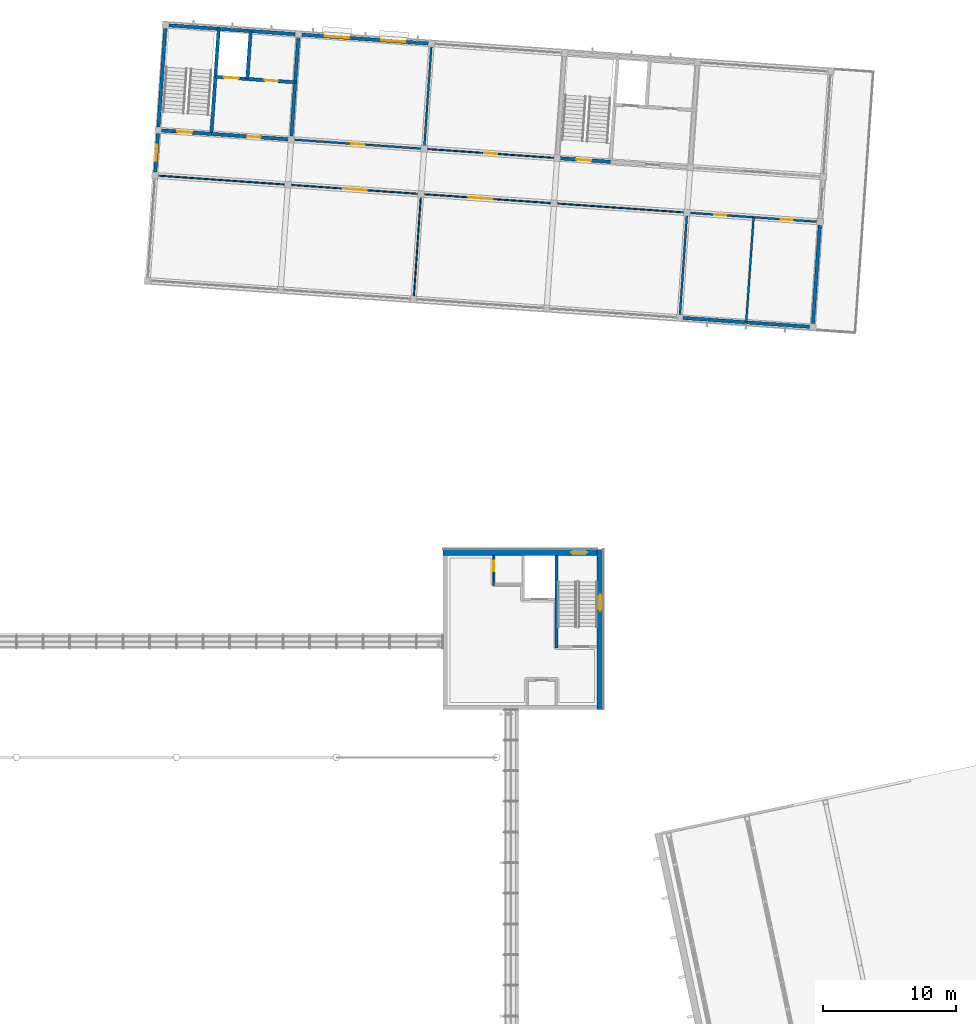
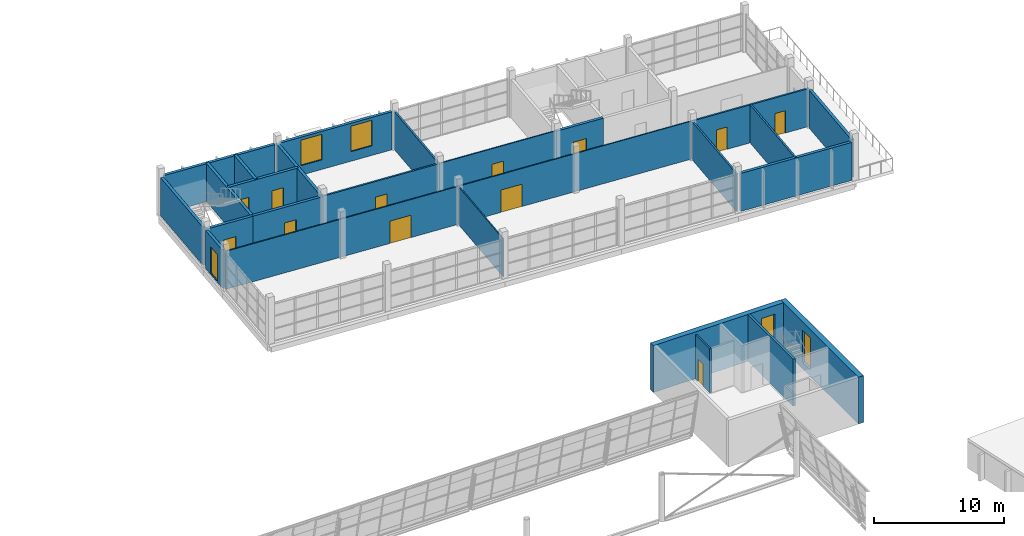
# One storey, part 34 of 50: 25 walls, 12 doors, 5 windows, 17 openings.
"""IFC4 building model written with IfcOpenShell, lengths in metres."""

from ifc_helpers import new_model, si_unit, direction, frame, frame_2d, origin, place, context, subcontext, project, spatial, rectangle, extrude, material, layer, layer_set, type_object, element, fill, save


model = new_model("IFC4")

# Units and contexts
model_context = context("Model", 3, precision=1e-05, world=origin(), true_north=direction((0.0, 1.0)))
body_context = subcontext(model_context, "Body", "Model", "MODEL_VIEW")
ifc_project = project(units=[si_unit("LENGTHUNIT", "METRE"), si_unit("AREAUNIT", "SQUARE_METRE"), si_unit("VOLUMEUNIT", "CUBIC_METRE"), si_unit("PLANEANGLEUNIT", "RADIAN"), si_unit("MASSUNIT", "GRAM", prefix="KILO")], contexts=[model_context])

# Site, building, storey
site_placement = place(None, origin())
site = spatial("IfcSite", under=ifc_project, at=site_placement, CompositionType="ELEMENT")
building_placement = place(site_placement, origin())
building = spatial("IfcBuilding", under=site, at=building_placement, Name="Windward Yard Aquatics Centre", CompositionType="ELEMENT")
storey_placement = place(building_placement, frame((0.0, 0.0, 18.199951171875)))
storey = spatial("IfcBuildingStorey", under=building, at=storey_placement, Name="L04", CompositionType="ELEMENT", Elevation=18.199951171875)

# Wall
ifc_material_1 = material(Name="Concrete C35/45", Category="concrete")
ifc_layer_1 = layer(ifc_material_1, 0.199951171875)
ifc_layer_set_1 = layer_set([ifc_layer_1], Name="H Enclosure Wall Concrete C35/45 200")
wall_type_1 = type_object("IfcWallType", Name="H Enclosure Wall Concrete C35/45 200", PredefinedType="SOLIDWALL", material=ifc_layer_set_1)
wall_1_placement = place(storey_placement, frame((148.5, 95.550048828125, 0.0), z_axis=(0.0, 0.0, 1.0), x_axis=(0.0, -1.0, 0.0)))
element("IfcWall", 1, at=wall_1_placement, inside=storey, type_object=wall_type_1, Name="L04 W1 enclosure wall NE", PredefinedType="SOLIDWALL", context=body_context, shape_type="SweptSolid", body=[
    extrude(rectangle(XDim=6.949951171875, YDim=0.199951171875, at=frame_2d((3.47509765625, 0.0))), origin(), (0.0, 0.0, 1.0), 4.400146484375),
])

# Wall, opening, door
ifc_material_2 = material(Name="Blockwork 150 mm", Category="masonry")
ifc_layer_2 = layer(ifc_material_2, 0.14990234375)
ifc_layer_set_2 = layer_set([ifc_layer_2], Name="H Partition Blockwork 150")
wall_type_2 = type_object("IfcWallType", Name="H Partition Blockwork 150", PredefinedType="PARTITIONING", material=ifc_layer_set_2)
wall_2_placement = place(storey_placement, frame((143.800048828125, 95.550048828125, 0.0), z_axis=(0.0, 0.0, 1.0), x_axis=(0.0, -1.0, 0.0)))
wall_2 = element("IfcWall", 2, at=wall_2_placement, inside=storey, type_object=wall_type_2, Name="L04 R1E riser wall NE", PredefinedType="PARTITIONING", context=body_context, shape_type="SweptSolid", body=[
    extrude(rectangle(XDim=2.22509765625, YDim=0.14990234375, at=frame_2d((1.112548828125, 0.0))), origin(), (0.0, 0.0, 1.0), 4.150146484375),
])
opening_1_placement = place(wall_2_placement, frame((0.39990234375, 0.0, 0.0)))
opening_1 = element("IfcOpeningElement", 3, at=opening_1_placement, cuts=wall_2, Name="Opening H4011", PredefinedType="OPENING", context=body_context, shape_type="SweptSolid", body=[
    extrude(rectangle(XDim=0.800048828125, YDim=2.10009765625, at=frame_2d((0.39990234375, 1.050048828125))), frame((0.0, 0.0849609375, 0.0), z_axis=(0.0, -1.0, 0.0), x_axis=(1.0, 0.0, 0.0)), (0.0, 0.0, 1.0), 0.169921875),
])
ifc_material_3 = material(Name="Steel and timber door leaf", Category="steel")
door_type_1 = type_object("IfcDoorType", Name="H Door Riser 800 x 2100 FD60", OperationType="NOTDEFINED", PredefinedType="DOOR", material=ifc_material_3)
door_1_placement = place(opening_1_placement, origin())
door_1 = element("IfcDoor", 4, at=door_1_placement, inside=storey, type_object=door_type_1, Name="L04 electrical riser NE door", OperationType="SINGLE_SWING_RIGHT", OverallHeight=2.10009765625, OverallWidth=0.800048828125, PredefinedType="DOOR", context=body_context, shape_type="SweptSolid", body=[
    extrude(rectangle(XDim=0.800048828125, YDim=2.10009765625, at=frame_2d((0.39990234375, 1.050048828125))), frame((0.0, 0.02490234375, 0.0), z_axis=(0.0, -1.0, 0.0), x_axis=(1.0, 0.0, 0.0)), (0.0, 0.0, 1.0), 0.050048828125),
])
fill(opening_1, door_1)

# Wall, opening, window
ifc_material_4 = material(Name="Natural stone cladding", Category="masonry")
ifc_layer_3 = layer(ifc_material_4, 0.04, Name="Cladding")
ifc_material_5 = material(Name="Ventilated air cavity")
ifc_layer_4 = layer(ifc_material_5, 0.05, ventilated=True, Name="Ventilated cavity")
ifc_material_6 = material(Name="Mineral wool insulation")
ifc_layer_5 = layer(ifc_material_6, 0.08, Name="Insulation")
ifc_layer_6 = layer(ifc_material_1, 0.28, Name="Structure")
ifc_layer_set_3 = layer_set([ifc_layer_3, ifc_layer_4, ifc_layer_5, ifc_layer_6], Name="H plinth wall stone faced 450 C35/45")
wall_type_3 = type_object("IfcWallType", Name="H plinth wall stone faced 450 C35/45", PredefinedType="ELEMENTEDWALL", material=ifc_layer_set_3)
wall_3_placement = place(storey_placement, frame((151.77490234375, 96.0, 0.0), z_axis=(0.0, 0.0, 1.0), x_axis=(0.0, -1.0, 0.0)))
wall_3 = element("IfcWall", 5, at=wall_3_placement, inside=storey, type_object=wall_type_3, Name="H.CW.NE.E.L04", PredefinedType="ELEMENTEDWALL", context=body_context, shape_type="SweptSolid", body=[
    extrude(rectangle(XDim=12.0, YDim=0.449951171875, at=frame_2d((6.0, 0.0))), origin(), (0.0, 0.0, 1.0), 4.400146484375),
])
opening_2_placement = place(wall_3_placement, frame((3.39990234375, 0.0, 0.60009765625)))
opening_2 = element("IfcOpeningElement", 6, at=opening_2_placement, cuts=wall_3, Name="Opening W4007", PredefinedType="OPENING", context=body_context, shape_type="SweptSolid", body=[
    extrude(rectangle(XDim=1.199951171875, YDim=3.0, at=frame_2d((0.60009765625, 1.5))), frame((0.0, 0.23486328125, 0.0), z_axis=(0.0, -1.0, 0.0), x_axis=(1.0, 0.0, 0.0)), (0.0, 0.0, 1.0), 0.469970703125),
])
ifc_material_7 = material(Name="Fire-resisting glazing in steel frame", Category="steel")
window_type_1 = type_object("IfcWindowType", Name="H Core Stair Window 1200 x 3000 EI 60", PartitioningType="SINGLE_PANEL", PredefinedType="WINDOW", material=ifc_material_7)
window_1_placement = place(opening_2_placement, origin())
window_1 = element("IfcWindow", 7, at=window_1_placement, inside=storey, type_object=window_type_1, Name="L04 core NE stair window", OverallHeight=3.0, OverallWidth=1.199951171875, PartitioningType="SINGLE_PANEL", PredefinedType="WINDOW", context=body_context, shape_type="SweptSolid", body=[
    extrude(rectangle(XDim=1.199951171875, YDim=3.0, at=frame_2d((0.60009765625, 1.5))), frame((0.0, 0.030029296875, 0.0), z_axis=(0.0, -1.0, 0.0), x_axis=(1.0, 0.0, 0.0)), (0.0, 0.0, 1.0), 0.06005859375),
])
fill(opening_2, window_1)

wall_4_placement = place(storey_placement, frame((151.550048828125, 95.77490234375, 0.0), z_axis=(0.0, 0.0, 1.0), x_axis=(-1.0, 0.0, 0.0)))
wall_4 = element("IfcWall", 8, at=wall_4_placement, inside=storey, type_object=wall_type_3, Name="H.CW.NE.N.L04", PredefinedType="ELEMENTEDWALL", context=body_context, shape_type="SweptSolid", body=[
    extrude(rectangle(XDim=11.550048828125, YDim=0.449951171875, at=frame_2d((5.77490234375, 0.0))), origin(), (0.0, 0.0, 1.0), 4.400146484375),
])
opening_3_placement = place(wall_4_placement, frame((0.75, 0.0, 0.60009765625)))
opening_3 = element("IfcOpeningElement", 9, at=opening_3_placement, cuts=wall_4, Name="Opening W4008", PredefinedType="OPENING", context=body_context, shape_type="SweptSolid", body=[
    extrude(rectangle(XDim=1.199951171875, YDim=3.0, at=frame_2d((0.60009765625, 1.5))), frame((0.0, 0.23486328125, 0.0), z_axis=(0.0, -1.0, 0.0), x_axis=(1.0, 0.0, 0.0)), (0.0, 0.0, 1.0), 0.469970703125),
])
window_2_placement = place(opening_3_placement, origin())
window_2 = element("IfcWindow", 10, at=window_2_placement, inside=storey, type_object=window_type_1, Name="L04 core NE stair window", OverallHeight=3.0, OverallWidth=1.199951171875, PartitioningType="SINGLE_PANEL", PredefinedType="WINDOW", context=body_context, shape_type="SweptSolid", body=[
    extrude(rectangle(XDim=1.199951171875, YDim=3.0, at=frame_2d((0.60009765625, 1.5))), frame((0.0, 0.030029296875, 0.0), z_axis=(0.0, -1.0, 0.0), x_axis=(1.0, 0.0, 0.0)), (0.0, 0.0, 1.0), 0.06005859375),
])
fill(opening_3, window_2)

# Walls
ifc_material_8 = material(Name="Concrete C40/50", Category="concrete")
ifc_layer_7 = layer(ifc_material_8, 0.25)
ifc_layer_set_4 = layer_set([ifc_layer_7], Name="W RC core wall 250 Concrete C40/50")
wall_type_4 = type_object("IfcWallType", Name="W RC core wall 250 Concrete C40/50", PredefinedType="SOLIDWALL", material=ifc_layer_set_4)
wall_5_placement = place(storey_placement, frame((119.427490234375, 135.30322265625, 0.0), z_axis=(0.0, 0.0, 1.0), x_axis=(0.997564674448, -0.06974754686, 0.0)))
element("IfcWall", 11, at=wall_5_placement, inside=storey, type_object=wall_type_4, Name="W.FW.L04.N.46.8", PredefinedType="SOLIDWALL", context=body_context, shape_type="SweptSolid", body=[
    extrude(rectangle(XDim=9.5, YDim=0.25, at=frame_2d((4.75, 0.0))), origin(), (0.0, 0.0, 1.0), 3.570068359375),
])
wall_6_placement = place(storey_placement, frame((118.64453125, 127.689453125, 0.0), z_axis=(0.0, 0.0, 1.0), x_axis=(0.069746391472, 0.99756475523, 0.0)))
element("IfcWall", 12, at=wall_6_placement, inside=storey, type_object=wall_type_4, Name="W.FW.L04.W.11.9", PredefinedType="SOLIDWALL", context=body_context, shape_type="SweptSolid", body=[
    extrude(rectangle(XDim=7.39990234375, YDim=0.25, at=frame_2d((3.699951171875, 0.0))), origin(), (0.0, 0.0, 1.0), 3.570068359375),
])
wall_7_placement = place(storey_placement, frame((122.617431640625, 127.160888671875, 0.0), z_axis=(0.0, 0.0, 1.0), x_axis=(0.0697491702, 0.997564560947, 0.0)))
element("IfcWall", 13, at=wall_7_placement, inside=storey, type_object=wall_type_4, Name="W.WL.L04.001", PredefinedType="SOLIDWALL", context=body_context, shape_type="SweptSolid", body=[
    extrude(rectangle(XDim=7.900146484375, YDim=0.25, at=frame_2d((3.9501953125, 0.0))), origin(), (0.0, 0.0, 1.0), 3.570068359375),
])
wall_8_placement = place(storey_placement, frame((125.3115234375, 131.283203125, 0.0), z_axis=(0.0, 0.0, 1.0), x_axis=(0.069719119461, 0.997566661623, 0.0)))
element("IfcWall", 14, at=wall_8_placement, inside=storey, type_object=wall_type_4, Name="W.WL.L04.002", PredefinedType="SOLIDWALL", context=body_context, shape_type="SweptSolid", body=[
    extrude(rectangle(XDim=3.599853515625, YDim=0.25, at=frame_2d((1.7998046875, 0.0))), origin(), (0.0, 0.0, 1.0), 3.570068359375),
])
wall_9_placement = place(storey_placement, frame((128.602783203125, 126.742431640625, 0.0), z_axis=(0.0, 0.0, 1.0), x_axis=(0.0697491702, 0.997564560947, 0.0)))
element("IfcWall", 15, at=wall_9_placement, inside=storey, type_object=wall_type_4, Name="W.WL.L04.003", PredefinedType="SOLIDWALL", context=body_context, shape_type="SweptSolid", body=[
    extrude(rectangle(XDim=7.900146484375, YDim=0.25, at=frame_2d((3.9501953125, 0.0))), origin(), (0.0, 0.0, 1.0), 3.570068359375),
])

# Wall, opening, door
wall_10_placement = place(storey_placement, frame((118.627197265625, 127.43994140625, 0.0), z_axis=(0.0, 0.0, 1.0), x_axis=(0.997563556766, -0.069763530677, 0.0)))
wall_10 = element("IfcWall", 16, at=wall_10_placement, inside=storey, type_object=wall_type_4, Name="W.WL.L04.014", PredefinedType="SOLIDWALL", context=body_context, shape_type="SweptSolid", body=[
    extrude(rectangle(XDim=4.0, YDim=0.25, at=frame_2d((2.0, 0.0))), origin(), (0.0, 0.0, 1.0), 3.570068359375),
])
opening_4_placement = place(wall_10_placement, frame((1.449951171875, 0.0, 0.0)))
opening_4 = element("IfcOpeningElement", 17, at=opening_4_placement, cuts=wall_10, Name="Opening W4009", PredefinedType="OPENING", context=body_context, shape_type="SweptSolid", body=[
    extrude(rectangle(XDim=1.10009765625, YDim=2.10009765625, at=frame_2d((0.550048828125, 1.050048828125))), frame((0.0, 0.135009765625, 0.0), z_axis=(0.0, -1.0, 0.0), x_axis=(1.0, 0.0, 0.0)), (0.0, 0.0, 1.0), 0.27001953125),
])
ifc_material_9 = material(Name="Steel fire door leaf", Category="steel")
door_type_2 = type_object("IfcDoorType", Name="W stair door FD60 1100x2100", OperationType="SINGLE_SWING_LEFT", PredefinedType="DOOR", material=ifc_material_9)
door_2_placement = place(opening_4_placement, origin())
door_2 = element("IfcDoor", 18, at=door_2_placement, inside=storey, type_object=door_type_2, Name="W.DRI.L04.008", OperationType="SINGLE_SWING_RIGHT", OverallHeight=2.10009765625, OverallWidth=1.10009765625, PredefinedType="DOOR", context=body_context, shape_type="SweptSolid", body=[
    extrude(rectangle(XDim=1.10009765625, YDim=2.10009765625, at=frame_2d((0.550048828125, 1.050048828125))), frame((0.0, 0.02490234375, 0.0), z_axis=(0.0, -1.0, 0.0), x_axis=(1.0, 0.0, 0.0)), (0.0, 0.0, 1.0), 0.050048828125),
])
fill(opening_4, door_2)

wall_11_placement = place(storey_placement, frame((122.617431640625, 127.160888671875, 0.0), z_axis=(0.0, 0.0, 1.0), x_axis=(0.997564972454, -0.069743284499, 0.0)))
wall_11 = element("IfcWall", 19, at=wall_11_placement, inside=storey, type_object=wall_type_4, Name="W.WL.L04.015", PredefinedType="SOLIDWALL", context=body_context, shape_type="SweptSolid", body=[
    extrude(rectangle(XDim=6.0, YDim=0.25, at=frame_2d((3.0, 0.0))), origin(), (0.0, 0.0, 1.0), 3.570068359375),
])
opening_5_placement = place(wall_11_placement, frame((2.699951171875, 0.0, 0.0)))
opening_5 = element("IfcOpeningElement", 20, at=opening_5_placement, cuts=wall_11, Name="Opening W4010", PredefinedType="OPENING", context=body_context, shape_type="SweptSolid", body=[
    extrude(rectangle(XDim=1.0, YDim=2.10009765625, at=frame_2d((0.5, 1.050048828125))), frame((0.0, 0.135009765625, 0.0), z_axis=(0.0, -1.0, 0.0), x_axis=(1.0, 0.0, 0.0)), (0.0, 0.0, 1.0), 0.27001953125),
])
door_type_3 = type_object("IfcDoorType", Name="W fire door FD60 1000x2100", OperationType="SINGLE_SWING_LEFT", PredefinedType="DOOR", material=ifc_material_9)
door_3_placement = place(opening_5_placement, origin())
door_3 = element("IfcDoor", 21, at=door_3_placement, inside=storey, type_object=door_type_3, Name="W.DRI.L04.009", OperationType="SINGLE_SWING_LEFT", OverallHeight=2.10009765625, OverallWidth=1.0, PredefinedType="DOOR", context=body_context, shape_type="SweptSolid", body=[
    extrude(rectangle(XDim=1.0, YDim=2.10009765625, at=frame_2d((0.5, 1.050048828125))), frame((0.0, 0.02490234375, 0.0), z_axis=(0.0, -1.0, 0.0), x_axis=(1.0, 0.0, 0.0)), (0.0, 0.0, 1.0), 0.050048828125),
])
fill(opening_5, door_3)

wall_12_placement = place(storey_placement, frame((148.553955078125, 125.347412109375, 0.0), z_axis=(0.0, 0.0, 1.0), x_axis=(0.997563556766, -0.069763530677, 0.0)))
wall_12 = element("IfcWall", 22, at=wall_12_placement, inside=storey, type_object=wall_type_4, Name="W.WL.L04.018", PredefinedType="SOLIDWALL", context=body_context, shape_type="SweptSolid", body=[
    extrude(rectangle(XDim=4.0, YDim=0.25, at=frame_2d((2.0, 0.0))), origin(), (0.0, 0.0, 1.0), 3.570068359375),
])
opening_6_placement = place(wall_12_placement, frame((1.449951171875, 0.0, 0.0)))
opening_6 = element("IfcOpeningElement", 23, at=opening_6_placement, cuts=wall_12, Name="Opening W4013", PredefinedType="OPENING", context=body_context, shape_type="SweptSolid", body=[
    extrude(rectangle(XDim=1.10009765625, YDim=2.10009765625, at=frame_2d((0.550048828125, 1.050048828125))), frame((0.0, 0.135009765625, 0.0), z_axis=(0.0, -1.0, 0.0), x_axis=(1.0, 0.0, 0.0)), (0.0, 0.0, 1.0), 0.27001953125),
])
door_4_placement = place(opening_6_placement, origin())
door_4 = element("IfcDoor", 24, at=door_4_placement, inside=storey, type_object=door_type_2, Name="W.DRI.L04.012", OperationType="SINGLE_SWING_RIGHT", OverallHeight=2.10009765625, OverallWidth=1.10009765625, PredefinedType="DOOR", context=body_context, shape_type="SweptSolid", body=[
    extrude(rectangle(XDim=1.10009765625, YDim=2.10009765625, at=frame_2d((0.550048828125, 1.050048828125))), frame((0.0, 0.02490234375, 0.0), z_axis=(0.0, -1.0, 0.0), x_axis=(1.0, 0.0, 0.0)), (0.0, 0.0, 1.0), 0.050048828125),
])
fill(opening_6, door_4)

# Wall, openings, doors
wall_13_placement = place(storey_placement, frame((122.917236328125, 131.450439453125, 0.0), z_axis=(0.0, 0.0, 1.0), x_axis=(0.997564972454, -0.069743284499, 0.0)))
wall_13 = element("IfcWall", 25, at=wall_13_placement, inside=storey, type_object=wall_type_4, Name="W.WL.L04.021", PredefinedType="SOLIDWALL", context=body_context, shape_type="SweptSolid", body=[
    extrude(rectangle(XDim=6.0, YDim=0.25, at=frame_2d((3.0, 0.0))), origin(), (0.0, 0.0, 1.0), 3.570068359375),
])
opening_7_placement = place(wall_13_placement, frame((3.699951171875, 0.0, 0.0)))
opening_7 = element("IfcOpeningElement", 26, at=opening_7_placement, cuts=wall_13, Name="Opening W4011", PredefinedType="OPENING", context=body_context, shape_type="SweptSolid", body=[
    extrude(rectangle(XDim=1.0, YDim=2.10009765625, at=frame_2d((0.5, 1.050048828125))), frame((0.0, 0.135009765625, 0.0), z_axis=(0.0, -1.0, 0.0), x_axis=(1.0, 0.0, 0.0)), (0.0, 0.0, 1.0), 0.27001953125),
])
opening_8_placement = place(wall_13_placement, frame((0.64990234375, 0.0, 0.0)))
opening_8 = element("IfcOpeningElement", 27, at=opening_8_placement, cuts=wall_13, Name="Opening W4012", PredefinedType="OPENING", context=body_context, shape_type="SweptSolid", body=[
    extrude(rectangle(XDim=1.10009765625, YDim=2.10009765625, at=frame_2d((0.550048828125, 1.050048828125))), frame((0.0, 0.135009765625, 0.0), z_axis=(0.0, -1.0, 0.0), x_axis=(1.0, 0.0, 0.0)), (0.0, 0.0, 1.0), 0.27001953125),
])
door_5_placement = place(opening_7_placement, origin())
door_5 = element("IfcDoor", 28, at=door_5_placement, inside=storey, type_object=door_type_3, Name="W.DRI.L04.010", OperationType="SINGLE_SWING_RIGHT", OverallHeight=2.10009765625, OverallWidth=1.0, PredefinedType="DOOR", context=body_context, shape_type="SweptSolid", body=[
    extrude(rectangle(XDim=1.0, YDim=2.10009765625, at=frame_2d((0.5, 1.050048828125))), frame((0.0, 0.02490234375, 0.0), z_axis=(0.0, -1.0, 0.0), x_axis=(1.0, 0.0, 0.0)), (0.0, 0.0, 1.0), 0.050048828125),
])
fill(opening_7, door_5)
ifc_material_10 = material(Name="Stainless steel sliding door leaf", Category="steel")
door_type_4 = type_object("IfcDoorType", Name="W lift landing door 1100x2100", OperationType="SLIDING_TO_LEFT", PredefinedType="DOOR", material=ifc_material_10)
door_6_placement = place(opening_8_placement, origin())
door_6 = element("IfcDoor", 29, at=door_6_placement, inside=storey, type_object=door_type_4, Name="Landing door W L04", OperationType="SLIDING_TO_LEFT", OverallHeight=2.10009765625, OverallWidth=1.10009765625, PredefinedType="DOOR", context=body_context, shape_type="SweptSolid", body=[
    extrude(rectangle(XDim=1.10009765625, YDim=2.10009765625, at=frame_2d((0.550048828125, 1.050048828125))), frame((0.0, 0.02490234375, 0.0), z_axis=(0.0, -1.0, 0.0), x_axis=(1.0, 0.0, 0.0)), (0.0, 0.0, 1.0), 0.050048828125),
])
fill(opening_8, door_6)

# Wall
ifc_layer_8 = layer(ifc_material_8, 0.25)
ifc_layer_set_5 = layer_set([ifc_layer_8], Name="W facade wall 250 Precast Concrete C40/50")
wall_type_5 = type_object("IfcWallType", Name="W facade wall 250 Precast Concrete C40/50", PredefinedType="SOLIDWALL", material=ifc_layer_set_5)
wall_14_placement = place(storey_placement, frame((157.99072265625, 113.35986328125, 0.0), z_axis=(0.0, 0.0, 1.0), x_axis=(0.997563011141, -0.069771332249, 0.0)))
element("IfcWall", 30, at=wall_14_placement, inside=storey, type_object=wall_type_5, Name="W.FW.L04.S.86.8", PredefinedType="SOLIDWALL", context=body_context, shape_type="SweptSolid", body=[
    extrude(rectangle(XDim=9.500244140625, YDim=0.25, at=frame_2d((4.75, 0.0))), origin(), (0.0, 0.0, 1.0), 3.570068359375),
])

# Wall, openings, windows
wall_15_placement = place(storey_placement, frame((129.4033203125, 134.605712890625, 0.0), z_axis=(0.0, 0.0, 1.0), x_axis=(0.997564674448, -0.06974754686, 0.0)))
wall_15 = element("IfcWall", 31, at=wall_15_placement, inside=storey, type_object=wall_type_5, Name="W.FW.L04.N.56.8", PredefinedType="SOLIDWALL", context=body_context, shape_type="SweptSolid", body=[
    extrude(rectangle(XDim=9.5, YDim=0.25, at=frame_2d((4.75, 0.0))), origin(), (0.0, 0.0, 1.0), 3.570068359375),
])
opening_9_placement = place(wall_15_placement, frame((1.72509765625, 0.0, 0.89990234375)))
opening_9 = element("IfcOpeningElement", 32, at=opening_9_placement, cuts=wall_15, Name="Opening W4501", PredefinedType="OPENING", context=body_context, shape_type="SweptSolid", body=[
    extrude(rectangle(XDim=1.800048828125, YDim=2.39990234375, at=frame_2d((0.89990234375, 1.199951171875))), frame((0.0, 0.135009765625, 0.0), z_axis=(0.0, -1.0, 0.0), x_axis=(1.0, 0.0, 0.0)), (0.0, 0.0, 1.0), 0.27001953125),
])
opening_10_placement = place(wall_15_placement, frame((5.97509765625, 0.0, 0.89990234375)))
opening_10 = element("IfcOpeningElement", 33, at=opening_10_placement, cuts=wall_15, Name="Opening W4502", PredefinedType="OPENING", context=body_context, shape_type="SweptSolid", body=[
    extrude(rectangle(XDim=1.800048828125, YDim=2.39990234375, at=frame_2d((0.89990234375, 1.199951171875))), frame((0.0, 0.135009765625, 0.0), z_axis=(0.0, -1.0, 0.0), x_axis=(1.0, 0.0, 0.0)), (0.0, 0.0, 1.0), 0.27001953125),
])
ifc_material_11 = material(Name="Aluminium framed glazing", Category="aluminium")
window_type_2 = type_object("IfcWindowType", Name="W window 1800x2400", PartitioningType="SINGLE_PANEL", PredefinedType="WINDOW", material=ifc_material_11)
window_3_placement = place(opening_9_placement, origin())
window_3 = element("IfcWindow", 34, at=window_3_placement, inside=storey, type_object=window_type_2, Name="W.WN.L04.W4501", OverallHeight=2.39990234375, OverallWidth=1.800048828125, PartitioningType="SINGLE_PANEL", PredefinedType="WINDOW", context=body_context, shape_type="SweptSolid", body=[
    extrude(rectangle(XDim=1.800048828125, YDim=2.39990234375, at=frame_2d((0.89990234375, 1.199951171875))), frame((0.0, 0.030029296875, 0.0), z_axis=(0.0, -1.0, 0.0), x_axis=(1.0, 0.0, 0.0)), (0.0, 0.0, 1.0), 0.06005859375),
])
fill(opening_9, window_3)
window_4_placement = place(opening_10_placement, origin())
window_4 = element("IfcWindow", 35, at=window_4_placement, inside=storey, type_object=window_type_2, Name="W.WN.L04.W4502", OverallHeight=2.39990234375, OverallWidth=1.800048828125, PartitioningType="SINGLE_PANEL", PredefinedType="WINDOW", context=body_context, shape_type="SweptSolid", body=[
    extrude(rectangle(XDim=1.800048828125, YDim=2.39990234375, at=frame_2d((0.89990234375, 1.199951171875))), frame((0.0, 0.030029296875, 0.0), z_axis=(0.0, -1.0, 0.0), x_axis=(1.0, 0.0, 0.0)), (0.0, 0.0, 1.0), 0.06005859375),
])
fill(opening_10, window_4)

# Wall, opening, window
wall_16_placement = place(storey_placement, frame((118.407470703125, 124.297607421875, 0.0), z_axis=(0.0, 0.0, 1.0), x_axis=(0.069703468474, 0.997567755334, 0.0)))
wall_16 = element("IfcWall", 36, at=wall_16_placement, inside=storey, type_object=wall_type_5, Name="W.FW.L04.W.8.6", PredefinedType="SOLIDWALL", context=body_context, shape_type="SweptSolid", body=[
    extrude(rectangle(XDim=2.900146484375, YDim=0.25, at=frame_2d((1.4501953125, 0.0))), origin(), (0.0, 0.0, 1.0), 3.570068359375),
])
opening_11_placement = place(wall_16_placement, frame((0.85009765625, 0.0, 0.10009765625)))
opening_11 = element("IfcOpeningElement", 37, at=opening_11_placement, cuts=wall_16, Name="Opening W4503", PredefinedType="OPENING", context=body_context, shape_type="SweptSolid", body=[
    extrude(rectangle(XDim=1.199951171875, YDim=2.5, at=frame_2d((0.60009765625, 1.25))), frame((0.0, 0.135009765625, 0.0), z_axis=(0.0, -1.0, 0.0), x_axis=(1.0, 0.0, 0.0)), (0.0, 0.0, 1.0), 0.27001953125),
])
window_type_3 = type_object("IfcWindowType", Name="W sidelight 1200x2500", PartitioningType="SINGLE_PANEL", PredefinedType="WINDOW", material=ifc_material_11)
window_5_placement = place(opening_11_placement, origin())
window_5 = element("IfcWindow", 38, at=window_5_placement, inside=storey, type_object=window_type_3, Name="W.WN.L04.W4503", OverallHeight=2.5, OverallWidth=1.199951171875, PartitioningType="SINGLE_PANEL", PredefinedType="WINDOW", context=body_context, shape_type="SweptSolid", body=[
    extrude(rectangle(XDim=1.199951171875, YDim=2.5, at=frame_2d((0.60009765625, 1.25))), frame((0.0, 0.030029296875, 0.0), z_axis=(0.0, -1.0, 0.0), x_axis=(1.0, 0.0, 0.0)), (0.0, 0.0, 1.0), 0.06005859375),
])
fill(opening_11, window_5)

# Walls
wall_17_placement = place(storey_placement, frame((167.734619140625, 112.92919921875, 0.0), z_axis=(0.0, 0.0, 1.0), x_axis=(0.069746391472, 0.99756475523, 0.0)))
element("IfcWall", 39, at=wall_17_placement, inside=storey, type_object=wall_type_5, Name="W.FW.L04.E.0.7", PredefinedType="SOLIDWALL", context=body_context, shape_type="SweptSolid", body=[
    extrude(rectangle(XDim=7.39990234375, YDim=0.25, at=frame_2d((3.699951171875, 0.0))), origin(), (0.0, 0.0, 1.0), 3.570068359375),
])
ifc_material_12 = material(Name="Plasterboard on steel stud partition", Category="steel")
ifc_layer_9 = layer(ifc_material_12, 0.10009765625)
ifc_layer_set_6 = layer_set([ifc_layer_9], Name="W partition 100")
wall_type_6 = type_object("IfcWallType", Name="W partition 100", PredefinedType="PARTITIONING", material=ifc_layer_set_6)
wall_18_placement = place(storey_placement, frame((137.7900390625, 114.7724609375, 0.0), z_axis=(0.0, 0.0, 1.0), x_axis=(0.069779923244, 0.997562410234, 0.0)))
element("IfcWall", 40, at=wall_18_placement, inside=storey, type_object=wall_type_6, Name="W.WL.L04.004", PredefinedType="PARTITIONING", context=body_context, shape_type="SweptSolid", body=[
    extrude(rectangle(XDim=7.900146484375, YDim=0.10009765625, at=frame_2d((3.9501953125, 0.0))), origin(), (0.0, 0.0, 1.0), 3.570068359375),
])

# Wall, openings, doors
wall_19_placement = place(storey_placement, frame((118.389892578125, 124.04833984375, 0.0), z_axis=(0.0, 0.0, 1.0), x_axis=(0.997564011215, -0.069757032104, 0.0)))
wall_19 = element("IfcWall", 41, at=wall_19_placement, inside=storey, type_object=wall_type_6, Name="W.WL.L04.012", PredefinedType="PARTITIONING", context=body_context, shape_type="SweptSolid", body=[
    extrude(rectangle(XDim=40.0, YDim=0.10009765625, at=frame_2d((20.0, 0.0))), origin(), (0.0, 0.0, 1.0), 3.570068359375),
])
opening_12_placement = place(wall_19_placement, frame((14.10009765625, 0.0, 0.0)))
opening_12 = element("IfcOpeningElement", 42, at=opening_12_placement, cuts=wall_19, Name="Opening W4002", PredefinedType="OPENING", context=body_context, shape_type="SweptSolid", body=[
    extrude(rectangle(XDim=1.800048828125, YDim=2.10009765625, at=frame_2d((0.89990234375, 1.050048828125))), frame((0.0, 0.06005859375, 0.0), z_axis=(0.0, -1.0, 0.0), x_axis=(1.0, 0.0, 0.0)), (0.0, 0.0, 1.0), 0.1201171875),
])
opening_13_placement = place(wall_19_placement, frame((23.60009765625, 0.0, 0.0)))
opening_13 = element("IfcOpeningElement", 43, at=opening_13_placement, cuts=wall_19, Name="Opening W4004", PredefinedType="OPENING", context=body_context, shape_type="SweptSolid", body=[
    extrude(rectangle(XDim=1.800048828125, YDim=2.10009765625, at=frame_2d((0.89990234375, 1.050048828125))), frame((0.0, 0.06005859375, 0.0), z_axis=(0.0, -1.0, 0.0), x_axis=(1.0, 0.0, 0.0)), (0.0, 0.0, 1.0), 0.1201171875),
])
ifc_material_13 = material(Name="Timber door leaf", Category="wood")
door_type_5 = type_object("IfcDoorType", Name="W double door 1800x2100", OperationType="DOUBLE_DOOR_SINGLE_SWING", PredefinedType="DOOR", material=ifc_material_13)
door_7_placement = place(opening_12_placement, origin())
door_7 = element("IfcDoor", 44, at=door_7_placement, inside=storey, type_object=door_type_5, Name="W.DRI.L04.001", OperationType="DOUBLE_DOOR_SINGLE_SWING", OverallHeight=2.10009765625, OverallWidth=1.800048828125, PredefinedType="DOOR", context=body_context, shape_type="SweptSolid", body=[
    extrude(rectangle(XDim=1.800048828125, YDim=2.10009765625, at=frame_2d((0.89990234375, 1.050048828125))), frame((0.0, 0.02490234375, 0.0), z_axis=(0.0, -1.0, 0.0), x_axis=(1.0, 0.0, 0.0)), (0.0, 0.0, 1.0), 0.050048828125),
])
fill(opening_12, door_7)
door_8_placement = place(opening_13_placement, origin())
door_8 = element("IfcDoor", 45, at=door_8_placement, inside=storey, type_object=door_type_5, Name="W.DRI.L04.003", OperationType="DOUBLE_DOOR_SINGLE_SWING", OverallHeight=2.10009765625, OverallWidth=1.800048828125, PredefinedType="DOOR", context=body_context, shape_type="SweptSolid", body=[
    extrude(rectangle(XDim=1.800048828125, YDim=2.10009765625, at=frame_2d((0.89990234375, 1.050048828125))), frame((0.0, 0.02490234375, 0.0), z_axis=(0.0, -1.0, 0.0), x_axis=(1.0, 0.0, 0.0)), (0.0, 0.0, 1.0), 0.050048828125),
])
fill(opening_13, door_8)

# Wall, opening, door
wall_20_placement = place(storey_placement, frame((138.578369140625, 126.044921875, 0.0), z_axis=(0.0, 0.0, 1.0), x_axis=(0.997564406228, -0.069751382981, 0.0)))
wall_20 = element("IfcWall", 46, at=wall_20_placement, inside=storey, type_object=wall_type_6, Name="W.WL.L04.017", PredefinedType="PARTITIONING", context=body_context, shape_type="SweptSolid", body=[
    extrude(rectangle(XDim=10.0, YDim=0.10009765625, at=frame_2d((5.0, 0.0))), origin(), (0.0, 0.0, 1.0), 3.570068359375),
])
opening_14_placement = place(wall_20_placement, frame((4.5, 0.0, 0.0)))
opening_14 = element("IfcOpeningElement", 47, at=opening_14_placement, cuts=wall_20, Name="Opening W4005", PredefinedType="OPENING", context=body_context, shape_type="SweptSolid", body=[
    extrude(rectangle(XDim=1.0, YDim=2.10009765625, at=frame_2d((0.5, 1.050048828125))), frame((0.0, 0.06005859375, 0.0), z_axis=(0.0, -1.0, 0.0), x_axis=(1.0, 0.0, 0.0)), (0.0, 0.0, 1.0), 0.1201171875),
])
door_type_6 = type_object("IfcDoorType", Name="W door 1000x2100", OperationType="SINGLE_SWING_LEFT", PredefinedType="DOOR", material=ifc_material_13)
door_9_placement = place(opening_14_placement, origin())
door_9 = element("IfcDoor", 48, at=door_9_placement, inside=storey, type_object=door_type_6, Name="W.DRI.L04.004", OperationType="SINGLE_SWING_RIGHT", OverallHeight=2.10009765625, OverallWidth=1.0, PredefinedType="DOOR", context=body_context, shape_type="SweptSolid", body=[
    extrude(rectangle(XDim=1.0, YDim=2.10009765625, at=frame_2d((0.5, 1.050048828125))), frame((0.0, 0.02490234375, 0.0), z_axis=(0.0, -1.0, 0.0), x_axis=(1.0, 0.0, 0.0)), (0.0, 0.0, 1.0), 0.050048828125),
])
fill(opening_14, door_9)

# Walls
ifc_material_14 = material(Name="Blockwork partition with tiled finish", Category="masonry")
ifc_layer_10 = layer(ifc_material_14, 0.14990234375)
ifc_layer_set_7 = layer_set([ifc_layer_10], Name="W partition 150 wet area")
wall_type_7 = type_object("IfcWallType", Name="W partition 150 wet area", PredefinedType="PARTITIONING", material=ifc_layer_set_7)
wall_21_placement = place(storey_placement, frame((138.578369140625, 126.044921875, 0.0), z_axis=(0.0, 0.0, 1.0), x_axis=(0.069751320509, 0.997564410596, 0.0)))
element("IfcWall", 49, at=wall_21_placement, inside=storey, type_object=wall_type_7, Name="W.WL.L04.005", PredefinedType="PARTITIONING", context=body_context, shape_type="SweptSolid", body=[
    extrude(rectangle(XDim=7.89990234375, YDim=0.14990234375, at=frame_2d((3.949951171875, 0.0))), origin(), (0.0, 0.0, 1.0), 3.570068359375),
])
wall_22_placement = place(storey_placement, frame((157.741455078125, 113.377197265625, 0.0), z_axis=(0.0, 0.0, 1.0), x_axis=(0.0697491702, 0.997564560947, 0.0)))
element("IfcWall", 50, at=wall_22_placement, inside=storey, type_object=wall_type_7, Name="W.WL.L04.009", PredefinedType="PARTITIONING", context=body_context, shape_type="SweptSolid", body=[
    extrude(rectangle(XDim=7.900146484375, YDim=0.14990234375, at=frame_2d((3.9501953125, 0.0))), origin(), (0.0, 0.0, 1.0), 3.570068359375),
])
wall_23_placement = place(storey_placement, frame((162.729248046875, 113.028564453125, 0.0), z_axis=(0.0, 0.0, 1.0), x_axis=(0.069751320509, 0.997564410596, 0.0)))
element("IfcWall", 51, at=wall_23_placement, inside=storey, type_object=wall_type_7, Name="W.WL.L04.011", PredefinedType="PARTITIONING", context=body_context, shape_type="SweptSolid", body=[
    extrude(rectangle(XDim=7.89990234375, YDim=0.14990234375, at=frame_2d((3.949951171875, 0.0))), origin(), (0.0, 0.0, 1.0), 3.570068359375),
])

# Wall, openings, doors
wall_24_placement = place(storey_placement, frame((158.29248046875, 121.258056640625, 0.0), z_axis=(0.0, 0.0, 1.0), x_axis=(0.997564406228, -0.069751382981, 0.0)))
wall_24 = element("IfcWall", 52, at=wall_24_placement, inside=storey, type_object=wall_type_7, Name="W.WL.L04.013", PredefinedType="PARTITIONING", context=body_context, shape_type="SweptSolid", body=[
    extrude(rectangle(XDim=10.0, YDim=0.14990234375, at=frame_2d((5.0, 0.0))), origin(), (0.0, 0.0, 1.0), 3.570068359375),
])
opening_15_placement = place(wall_24_placement, frame((2.050048828125, 0.0, 0.0)))
opening_15 = element("IfcOpeningElement", 53, at=opening_15_placement, cuts=wall_24, Name="Opening W4006", PredefinedType="OPENING", context=body_context, shape_type="SweptSolid", body=[
    extrude(rectangle(XDim=0.89990234375, YDim=2.10009765625, at=frame_2d((0.449951171875, 1.050048828125))), frame((0.0, 0.0849609375, 0.0), z_axis=(0.0, -1.0, 0.0), x_axis=(1.0, 0.0, 0.0)), (0.0, 0.0, 1.0), 0.169921875),
])
opening_16_placement = place(wall_24_placement, frame((7.050048828125, 0.0, 0.0)))
opening_16 = element("IfcOpeningElement", 54, at=opening_16_placement, cuts=wall_24, Name="Opening W4007", PredefinedType="OPENING", context=body_context, shape_type="SweptSolid", body=[
    extrude(rectangle(XDim=0.89990234375, YDim=2.10009765625, at=frame_2d((0.449951171875, 1.050048828125))), frame((0.0, 0.0849609375, 0.0), z_axis=(0.0, -1.0, 0.0), x_axis=(1.0, 0.0, 0.0)), (0.0, 0.0, 1.0), 0.169921875),
])
door_type_7 = type_object("IfcDoorType", Name="W door 900x2100", OperationType="SINGLE_SWING_LEFT", PredefinedType="DOOR", material=ifc_material_13)
door_10_placement = place(opening_15_placement, origin())
door_10 = element("IfcDoor", 55, at=door_10_placement, inside=storey, type_object=door_type_7, Name="W.DRI.L04.005", OperationType="SINGLE_SWING_LEFT", OverallHeight=2.10009765625, OverallWidth=0.89990234375, PredefinedType="DOOR", context=body_context, shape_type="SweptSolid", body=[
    extrude(rectangle(XDim=0.89990234375, YDim=2.10009765625, at=frame_2d((0.449951171875, 1.050048828125))), frame((0.0, 0.02490234375, 0.0), z_axis=(0.0, -1.0, 0.0), x_axis=(1.0, 0.0, 0.0)), (0.0, 0.0, 1.0), 0.050048828125),
])
fill(opening_15, door_10)
door_11_placement = place(opening_16_placement, origin())
door_11 = element("IfcDoor", 56, at=door_11_placement, inside=storey, type_object=door_type_7, Name="W.DRI.L04.006", OperationType="SINGLE_SWING_RIGHT", OverallHeight=2.10009765625, OverallWidth=0.89990234375, PredefinedType="DOOR", context=body_context, shape_type="SweptSolid", body=[
    extrude(rectangle(XDim=0.89990234375, YDim=2.10009765625, at=frame_2d((0.449951171875, 1.050048828125))), frame((0.0, 0.02490234375, 0.0), z_axis=(0.0, -1.0, 0.0), x_axis=(1.0, 0.0, 0.0)), (0.0, 0.0, 1.0), 0.050048828125),
])
fill(opening_16, door_11)

# Wall, opening, door
wall_25_placement = place(storey_placement, frame((128.602783203125, 126.742431640625, 0.0), z_axis=(0.0, 0.0, 1.0), x_axis=(0.997564406228, -0.069751382981, 0.0)))
wall_25 = element("IfcWall", 57, at=wall_25_placement, inside=storey, type_object=wall_type_7, Name="W.WL.L04.016", PredefinedType="PARTITIONING", context=body_context, shape_type="SweptSolid", body=[
    extrude(rectangle(XDim=10.0, YDim=0.14990234375, at=frame_2d((5.0, 0.0))), origin(), (0.0, 0.0, 1.0), 3.570068359375),
])
opening_17_placement = place(wall_25_placement, frame((4.5, 0.0, 0.0)))
opening_17 = element("IfcOpeningElement", 58, at=opening_17_placement, cuts=wall_25, Name="Opening W4003", PredefinedType="OPENING", context=body_context, shape_type="SweptSolid", body=[
    extrude(rectangle(XDim=1.0, YDim=2.10009765625, at=frame_2d((0.5, 1.050048828125))), frame((0.0, 0.0849609375, 0.0), z_axis=(0.0, -1.0, 0.0), x_axis=(1.0, 0.0, 0.0)), (0.0, 0.0, 1.0), 0.169921875),
])
door_12_placement = place(opening_17_placement, origin())
door_12 = element("IfcDoor", 59, at=door_12_placement, inside=storey, type_object=door_type_6, Name="W.DRI.L04.002", OperationType="SINGLE_SWING_RIGHT", OverallHeight=2.10009765625, OverallWidth=1.0, PredefinedType="DOOR", context=body_context, shape_type="SweptSolid", body=[
    extrude(rectangle(XDim=1.0, YDim=2.10009765625, at=frame_2d((0.5, 1.050048828125))), frame((0.0, 0.02490234375, 0.0), z_axis=(0.0, -1.0, 0.0), x_axis=(1.0, 0.0, 0.0)), (0.0, 0.0, 1.0), 0.050048828125),
])
fill(opening_17, door_12)

save(model, "model.ifc")
